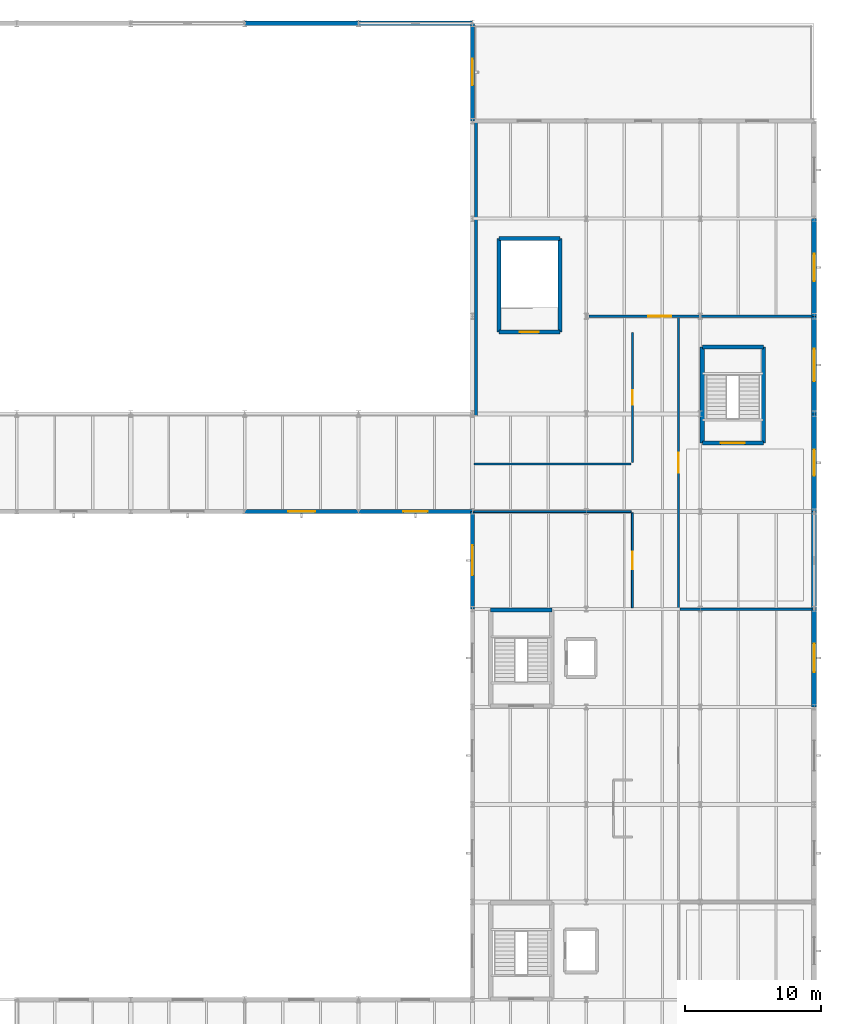
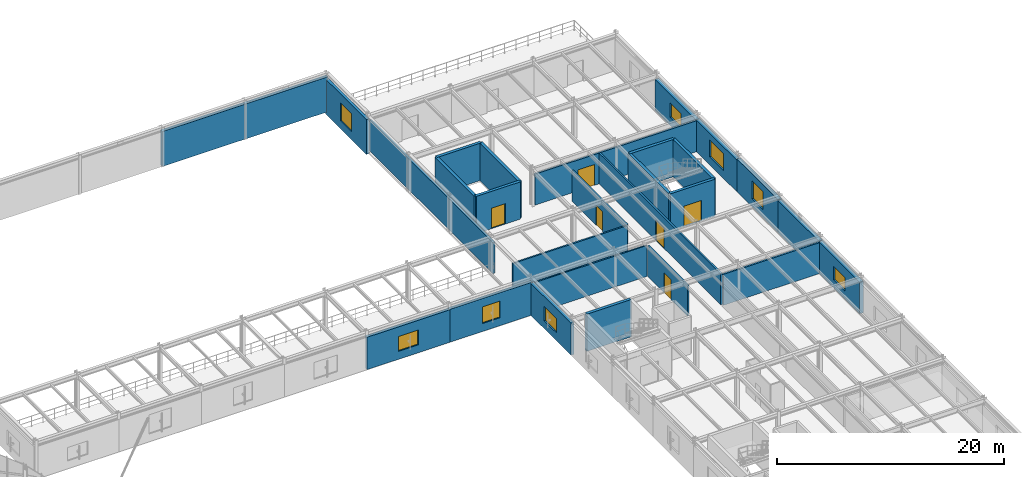
# One storey, part 69 of 109: 28 walls, 8 windows, 6 doors, 14 openings.
"""IFC4 building model written with IfcOpenShell, lengths in metres."""

import ifcopenshell
import ifcopenshell.guid

model = None  # the IFC model being written
_history = None  # IfcOwnerHistory: only IFC2X3 demands one
_inside = {}  # id of a spatial element -> (the spatial element, [elements in it])
_under = {}  # id of a project, library or spatial element -> (it, [spatial elements below it])
_declared = {}  # id of a project -> (the project, [libraries it declares])
_typed = {}  # id of a type object -> (the type object, [elements of that type])
_made_of = {}  # id of a material, layer set ... -> (it, [elements and type objects made of it])


def new_model(schema):
    """Start an empty IFC model of exactly this schema.

    Asked for "IFC4X3", IfcOpenShell would pick the latest addendum, in which some entities
    have other attributes; the version numbers below select the first issue.
    IFC2X3 requires an IfcOwnerHistory on every rooted entity: one is made here for all.
    """
    global model, _history
    if schema == "IFC4X3":
        model = ifcopenshell.file(schema_version=(4, 3, 0, 0))
    else:
        model = ifcopenshell.file(schema=schema)
    _inside.clear()
    _under.clear()
    _declared.clear()
    _typed.clear()
    _made_of.clear()
    _history = None
    if model.schema == "IFC2X3":
        org = make("IfcOrganization", Name="unknown")
        user = make(
            "IfcPersonAndOrganization",
            ThePerson=make("IfcPerson", FamilyName="unknown"),
            TheOrganization=org,
        )
        app = make(
            "IfcApplication",
            ApplicationDeveloper=org,
            Version="unknown",
            ApplicationFullName="unknown",
            ApplicationIdentifier="unknown",
        )
        _history = make(
            "IfcOwnerHistory",
            OwningUser=user,
            OwningApplication=app,
            ChangeAction="ADDED",
            CreationDate=0,
        )
    return model


def make(cls, **values):
    """One entity of the class cls with the attributes given. An attribute that is None is left unset."""
    return model.create_entity(
        cls, **{name: value for name, value in values.items() if value is not None}
    )


def rooted(cls, **values):
    """An entity with a GlobalId (a new one), such as an element, a storey or a relation."""
    return make(cls, GlobalId=ifcopenshell.guid.new(), OwnerHistory=_history, **values)


def si_unit(unit_type, name, prefix=None):
    """IfcSIUnit, for example si_unit("LENGTHUNIT", "METRE", prefix="MILLI")."""
    return make("IfcSIUnit", UnitType=unit_type, Prefix=prefix, Name=name)


def derived_unit(unit_type, elements):
    """IfcDerivedUnit: a product of units, each with its exponent."""
    return make(
        "IfcDerivedUnit",
        Elements=[
            make("IfcDerivedUnitElement", Unit=unit, Exponent=power)
            for unit, power in elements
        ],
        UnitType=unit_type,
    )


def assignment(units):
    """IfcUnitAssignment: the units of a project."""
    return None if units is None else make("IfcUnitAssignment", Units=units)


def point(xyz):
    """IfcCartesianPoint."""
    return None if xyz is None else make("IfcCartesianPoint", Coordinates=xyz)


def direction(xyz):
    """IfcDirection."""
    return None if xyz is None else make("IfcDirection", DirectionRatios=xyz)


def frame(location, z_axis=None, x_axis=None):
    """IfcAxis2Placement3D, a coordinate frame: its origin and axes. An axis left out is left unset."""
    return make(
        "IfcAxis2Placement3D",
        Location=point(location),
        Axis=direction(z_axis),
        RefDirection=direction(x_axis),
    )


def frame_2d(location, x_axis=None):
    """IfcAxis2Placement2D, a coordinate frame in the plane: its origin and x axis."""
    return make(
        "IfcAxis2Placement2D", Location=point(location), RefDirection=direction(x_axis)
    )


def origin():
    """The frame at (0, 0, 0) with its axes left unset."""
    return frame((0.0, 0.0, 0.0))


def place(relative_to, where):
    """IfcLocalPlacement: puts the frame where relative to a parent placement (None: the world)."""
    return make(
        "IfcLocalPlacement", PlacementRelTo=relative_to, RelativePlacement=where
    )


def context(
    kind, dimensions, precision=None, world=None, true_north=None, identifier=None
):
    """IfcGeometricRepresentationContext, for example the 3D "Model" context."""
    return make(
        "IfcGeometricRepresentationContext",
        ContextIdentifier=identifier,
        ContextType=kind,
        CoordinateSpaceDimension=dimensions,
        Precision=precision,
        WorldCoordinateSystem=world,
        TrueNorth=true_north,
    )


def subcontext(parent, identifier, kind, view, scale=None):
    """IfcGeometricRepresentationSubContext, for example "Body" below "Model"."""
    return make(
        "IfcGeometricRepresentationSubContext",
        ContextIdentifier=identifier,
        ContextType=kind,
        ParentContext=parent,
        TargetScale=scale,
        TargetView=view,
    )


def project(units=None, contexts=None):
    """IfcProject with its units and contexts."""
    return rooted(
        "IfcProject",
        Name="project",
        RepresentationContexts=contexts,
        UnitsInContext=assignment(units),
    )


def spatial(cls, under=None, at=None, **own):
    """A site, building, storey or space (cls), placed at a placement, below another one or the project."""
    s = rooted(cls, ObjectPlacement=at, **own)
    if under is not None:
        _under.setdefault(under.id(), (under, []))[1].append(s)
    return s


def profile(cls, at=None, kind="AREA", **sizes):
    """A parametric profile (cls). Its sizes go by their IFC names, for example OverallWidth=200.0."""
    return make(cls, ProfileType=kind, Position=at, **sizes)


def rectangle(**sizes):
    """IfcRectangleProfileDef."""
    return profile("IfcRectangleProfileDef", **sizes)


def extrude(swept, where, along, depth):
    """IfcExtrudedAreaSolid: the profile swept, set in the frame where, extruded along a direction by depth."""
    return make(
        "IfcExtrudedAreaSolid",
        SweptArea=swept,
        Position=where,
        ExtrudedDirection=direction(along),
        Depth=depth,
    )


def shape(context_of_items, identifier, shape_type, items):
    """IfcShapeRepresentation: the items that make up one representation, for example the "Body"."""
    return make(
        "IfcShapeRepresentation",
        ContextOfItems=context_of_items,
        RepresentationIdentifier=identifier,
        RepresentationType=shape_type,
        Items=items,
    )


def material(Name=None, Category=None):
    """IfcMaterial."""
    return make("IfcMaterial", Name=Name, Category=Category)


def layer(
    of_material, thickness, ventilated=None, Name=None, Category=None, Priority=None
):
    """IfcMaterialLayer: one layer of a wall or slab, of a material (None: an air gap)."""
    return make(
        "IfcMaterialLayer",
        Material=of_material,
        LayerThickness=thickness,
        IsVentilated=ventilated,
        Name=Name,
        Category=Category,
        Priority=Priority,
    )


def layer_set(layers, Name=None):
    """IfcMaterialLayerSet."""
    return make("IfcMaterialLayerSet", MaterialLayers=layers, LayerSetName=Name)


def made_of(thing, what):
    """Note that an element or type object is made of a material, layer set ...; save() writes the relation."""
    if what is not None:
        _made_of.setdefault(what.id(), (what, []))[1].append(thing)
    return thing


def type_object(cls, material=None, **own):
    """A type object (cls), such as IfcWallType, which elements share."""
    return made_of(rooted(cls, **own), material)


def element(
    cls,
    number,
    at=None,
    inside=None,
    cuts=None,
    type_object=None,
    material=None,
    context=None,
    identifier="Body",
    shape_type=None,
    held_by="IfcProductDefinitionShape",
    body=None,
    shapes=None,
    **own,
):
    """One element of the class cls, such as IfcWall. Its Tag is "e" and its number.

    at: its placement. inside: the storey or other place that contains it. cuts: it is an
    opening in that element (IfcRelVoidsElement). A single representation is given by context,
    identifier, shape_type and body (its items); several are given by shapes. held_by: the class
    of the entity that holds the representations. save() writes the other relations.
    """
    e = rooted(cls, Tag="e%d" % number, ObjectPlacement=at, **own)
    if body is not None:
        shapes = [shape(context, identifier, shape_type, body)]
    if shapes is not None:
        e.Representation = make(held_by, Representations=shapes)
    if inside is not None:
        _inside.setdefault(inside.id(), (inside, []))[1].append(e)
    if cuts is not None:
        rooted(
            "IfcRelVoidsElement", RelatingBuildingElement=cuts, RelatedOpeningElement=e
        )
    if type_object is not None:
        _typed.setdefault(type_object.id(), (type_object, []))[1].append(e)
    return made_of(e, material)


def fill(opening, filler):
    """IfcRelFillsElement: the door or window that sits in an opening."""
    return rooted(
        "IfcRelFillsElement",
        RelatingOpeningElement=opening,
        RelatedBuildingElement=filler,
    )


def aggregate(whole, parts):
    """IfcRelAggregates: a whole, such as a stair, and the parts it consists of."""
    return rooted("IfcRelAggregates", RelatingObject=whole, RelatedObjects=parts)


def save(model, path):
    """Write the relations noted so far, then the file.

    IfcRelAggregates (storeys below a building ...), IfcRelContainedInSpatialStructure (elements
    in a storey), IfcRelDefinesByType, IfcRelAssociatesMaterial and IfcRelDeclares: one each for
    every whole, place, type object, material and project.
    """
    for whole, parts in _under.values():
        aggregate(whole, parts)
    for where, things in _inside.values():
        rooted(
            "IfcRelContainedInSpatialStructure",
            RelatedElements=things,
            RelatingStructure=where,
        )
    for kind, things in _typed.values():
        rooted("IfcRelDefinesByType", RelatedObjects=things, RelatingType=kind)
    for what, things in _made_of.values():
        rooted("IfcRelAssociatesMaterial", RelatedObjects=things, RelatingMaterial=what)
    for by, libraries in _declared.values():
        rooted("IfcRelDeclares", RelatingContext=by, RelatedDefinitions=libraries)
    model.write(path)


model = new_model("IFC4")

# Units and contexts
model_context = context("Model", 3, precision=1e-05, world=origin(), true_north=direction((0.0, 1.0)))
body_context = subcontext(model_context, "Body", "Model", "MODEL_VIEW")
ifc_project = project(units=[si_unit("LENGTHUNIT", "METRE"), si_unit("AREAUNIT", "SQUARE_METRE"), si_unit("VOLUMEUNIT", "CUBIC_METRE"), si_unit("PLANEANGLEUNIT", "RADIAN"), si_unit("MASSUNIT", "GRAM", prefix="KILO"), derived_unit("THERMALTRANSMITTANCEUNIT", [(si_unit("MASSUNIT", "GRAM", prefix="KILO"), 1), (si_unit("TIMEUNIT", "SECOND"), -3), (si_unit("THERMODYNAMICTEMPERATUREUNIT", "KELVIN"), -1)])], contexts=[model_context])

# Site, building, storey
site_placement = place(None, origin())
site = spatial("IfcSite", under=ifc_project, at=site_placement, CompositionType="ELEMENT")
building_placement = place(site_placement, origin())
building = spatial("IfcBuilding", under=site, at=building_placement, Name="Kharveza Railside Sports Centre", CompositionType="ELEMENT")
storey_placement = place(building_placement, frame((0.0, 0.0, 4.5)))
storey = spatial("IfcBuildingStorey", under=building, at=storey_placement, Name="L01", CompositionType="ELEMENT", Elevation=4.5)

# Walls
ifc_material_1 = material(Name="Acoustic mineral-wool metal cladding panel")
ifc_layer_1 = layer(ifc_material_1, 0.340087890625, Name="Acoustic mineral-wool metal cladding panel")
ifc_layer_set_1 = layer_set([ifc_layer_1], Name="Acoustic mineral-wool metal cladding panel")
wall_type_1 = type_object("IfcWallType", Name="WL-AC340", PredefinedType="STANDARD", material=ifc_layer_set_1)
wall_1_placement = place(storey_placement, frame((142.800048828125, 108.0, 0.0), z_axis=(0.0, 0.0, 1.0), x_axis=(-1.0, 0.0, 0.0)))
element("IfcWall", 1, at=wall_1_placement, inside=storey, type_object=wall_type_1, Name="WL-EXT-L01-112", PredefinedType="STANDARD", context=body_context, shape_type="SweptSolid", body=[
    extrude(rectangle(XDim=8.400146484375, YDim=0.340087890625, at=frame_2d((4.2001953125, 0.0))), origin(), (0.0, 0.0, 1.0), 3.7451171875),
])
wall_2_placement = place(storey_placement, frame((134.39990234375, 108.0, 0.0), z_axis=(0.0, 0.0, 1.0), x_axis=(-1.0, 0.0, 0.0)))
element("IfcWall", 2, at=wall_2_placement, inside=storey, type_object=wall_type_1, Name="WL-EXT-L01-113", PredefinedType="STANDARD", context=body_context, shape_type="SweptSolid", body=[
    extrude(rectangle(XDim=8.39990234375, YDim=0.340087890625, at=frame_2d((4.199951171875, 0.0))), origin(), (0.0, 0.0, 1.0), 3.7451171875),
])

# Wall, opening, window
ifc_material_2 = material(Name="Precast concrete C40/50", Category="concrete")
ifc_layer_2 = layer(ifc_material_2, 0.3798828125, Name="Precast concrete C40/50")
ifc_layer_set_2 = layer_set([ifc_layer_2], Name="Precast concrete C40/50")
wall_type_2 = type_object("IfcWallType", Name="WL-BM380", PredefinedType="SOLIDWALL", material=ifc_layer_set_2)
wall_3_placement = place(storey_placement, frame((168.0, 57.60009765625, 0.0), z_axis=(0.0, 0.0, 1.0), x_axis=(0.0, 1.0, 0.0)))
wall_3 = element("IfcWall", 3, at=wall_3_placement, inside=storey, type_object=wall_type_2, Name="WL-EXT-L01-102", PredefinedType="SOLIDWALL", context=body_context, shape_type="SweptSolid", body=[
    extrude(rectangle(XDim=7.199951171875, YDim=0.3798828125, at=frame_2d((3.60009765625, 0.0))), origin(), (0.0, 0.0, 1.0), 3.385009765625),
])
opening_1_placement = place(wall_3_placement, frame((2.550048828125, 0.0, 0.85009765625)))
opening_1 = element("IfcOpeningElement", 4, at=opening_1_placement, cuts=wall_3, Name="Opening WN23", PredefinedType="OPENING", context=body_context, shape_type="SweptSolid", body=[
    extrude(rectangle(XDim=2.10009765625, YDim=1.449951171875, at=frame_2d((1.050048828125, 0.72509765625))), frame((0.0, 0.21484375, 0.0), z_axis=(0.0, -1.0, 0.0), x_axis=(1.0, 0.0, 0.0)), (0.0, 0.0, 1.0), 0.4296875),
])
ifc_material_3 = material(Name="Low-E solar-control laminated glass", Category="glass")
window_type_1 = type_object("IfcWindowType", Name="WN-Z07", PartitioningType="SINGLE_PANEL", PredefinedType="WINDOW", material=ifc_material_3)
window_1_placement = place(opening_1_placement, origin())
window_1 = element("IfcWindow", 5, at=window_1_placement, inside=storey, type_object=window_type_1, Name="WN-EXT-L01-044", OverallHeight=1.449951171875, OverallWidth=2.10009765625, PartitioningType="SINGLE_PANEL", PredefinedType="WINDOW", context=body_context, shape_type="SweptSolid", body=[
    extrude(rectangle(XDim=2.10009765625, YDim=1.449951171875, at=frame_2d((1.050048828125, 0.72509765625))), frame((0.0, 0.030029296875, 0.0), z_axis=(0.0, -1.0, 0.0), x_axis=(1.0, 0.0, 0.0)), (0.0, 0.0, 1.0), 0.06005859375),
])
fill(opening_1, window_1)

# Wall
wall_4_placement = place(storey_placement, frame((168.0, 64.800048828125, 0.0), z_axis=(0.0, 0.0, 1.0), x_axis=(0.0, 1.0, 0.0)))
element("IfcWall", 6, at=wall_4_placement, inside=storey, type_object=wall_type_2, Name="WL-EXT-L01-103", PredefinedType="SOLIDWALL", context=body_context, shape_type="SweptSolid", body=[
    extrude(rectangle(XDim=7.199951171875, YDim=0.3798828125, at=frame_2d((3.60009765625, 0.0))), origin(), (0.0, 0.0, 1.0), 3.43505859375),
])

# Wall, opening, window
wall_5_placement = place(storey_placement, frame((168.0, 72.0, 0.0), z_axis=(0.0, 0.0, 1.0), x_axis=(0.0, 1.0, 0.0)))
wall_5 = element("IfcWall", 7, at=wall_5_placement, inside=storey, type_object=wall_type_2, Name="WL-EXT-L01-104", PredefinedType="SOLIDWALL", context=body_context, shape_type="SweptSolid", body=[
    extrude(rectangle(XDim=7.199951171875, YDim=0.3798828125, at=frame_2d((3.60009765625, 0.0))), origin(), (0.0, 0.0, 1.0), 3.534912109375),
])
opening_2_placement = place(wall_5_placement, frame((2.625, 0.0, 0.85009765625)))
opening_2 = element("IfcOpeningElement", 8, at=opening_2_placement, cuts=wall_5, Name="Opening WN30", PredefinedType="OPENING", context=body_context, shape_type="SweptSolid", body=[
    extrude(rectangle(XDim=1.949951171875, YDim=1.949951171875, at=frame_2d((0.97509765625, 0.97509765625))), frame((0.0, 0.21484375, 0.0), z_axis=(0.0, -1.0, 0.0), x_axis=(1.0, 0.0, 0.0)), (0.0, 0.0, 1.0), 0.4296875),
])
window_type_2 = type_object("IfcWindowType", Name="WN-Z14", PartitioningType="SINGLE_PANEL", PredefinedType="WINDOW", material=ifc_material_3)
window_2_placement = place(opening_2_placement, origin())
window_2 = element("IfcWindow", 9, at=window_2_placement, inside=storey, type_object=window_type_2, Name="WN-EXT-L01-045", OverallHeight=1.949951171875, OverallWidth=1.949951171875, PartitioningType="SINGLE_PANEL", PredefinedType="WINDOW", context=body_context, shape_type="SweptSolid", body=[
    extrude(rectangle(XDim=1.949951171875, YDim=1.949951171875, at=frame_2d((0.97509765625, 0.97509765625))), frame((0.0, 0.030029296875, 0.0), z_axis=(0.0, -1.0, 0.0), x_axis=(1.0, 0.0, 0.0)), (0.0, 0.0, 1.0), 0.06005859375),
])
fill(opening_2, window_2)

wall_6_placement = place(storey_placement, frame((168.0, 79.199951171875, 0.0), z_axis=(0.0, 0.0, 1.0), x_axis=(0.0, 1.0, 0.0)))
wall_6 = element("IfcWall", 10, at=wall_6_placement, inside=storey, type_object=wall_type_2, Name="WL-EXT-L01-105", PredefinedType="SOLIDWALL", context=body_context, shape_type="SweptSolid", body=[
    extrude(rectangle(XDim=7.199951171875, YDim=0.3798828125, at=frame_2d((3.60009765625, 0.0))), origin(), (0.0, 0.0, 1.0), 3.385009765625),
])
opening_3_placement = place(wall_6_placement, frame((2.39990234375, 0.0, 0.85009765625)))
opening_3 = element("IfcOpeningElement", 11, at=opening_3_placement, cuts=wall_6, Name="Opening WN04", PredefinedType="OPENING", context=body_context, shape_type="SweptSolid", body=[
    extrude(rectangle(XDim=2.39990234375, YDim=1.800048828125, at=frame_2d((1.199951171875, 0.89990234375))), frame((0.0, 0.21484375, 0.0), z_axis=(0.0, -1.0, 0.0), x_axis=(1.0, 0.0, 0.0)), (0.0, 0.0, 1.0), 0.4296875),
])
window_type_3 = type_object("IfcWindowType", Name="WN-F04", PartitioningType="SINGLE_PANEL", PredefinedType="WINDOW", material=ifc_material_3)
window_3_placement = place(opening_3_placement, origin())
window_3 = element("IfcWindow", 12, at=window_3_placement, inside=storey, type_object=window_type_3, Name="WN-EXT-L01-046", OverallHeight=1.800048828125, OverallWidth=2.39990234375, PartitioningType="SINGLE_PANEL", PredefinedType="WINDOW", context=body_context, shape_type="SweptSolid", body=[
    extrude(rectangle(XDim=2.39990234375, YDim=1.800048828125, at=frame_2d((1.199951171875, 0.89990234375))), frame((0.0, 0.030029296875, 0.0), z_axis=(0.0, -1.0, 0.0), x_axis=(1.0, 0.0, 0.0)), (0.0, 0.0, 1.0), 0.06005859375),
])
fill(opening_3, window_3)

wall_7_placement = place(storey_placement, frame((168.0, 86.39990234375, 0.0), z_axis=(0.0, 0.0, 1.0), x_axis=(0.0, 1.0, 0.0)))
wall_7 = element("IfcWall", 13, at=wall_7_placement, inside=storey, type_object=wall_type_2, Name="WL-EXT-L01-106", PredefinedType="SOLIDWALL", context=body_context, shape_type="SweptSolid", body=[
    extrude(rectangle(XDim=7.2001953125, YDim=0.3798828125, at=frame_2d((3.60009765625, 0.0))), origin(), (0.0, 0.0, 1.0), 3.35498046875),
])
opening_4_placement = place(wall_7_placement, frame((2.60009765625, 0.0, 0.85009765625)))
opening_4 = element("IfcOpeningElement", 14, at=opening_4_placement, cuts=wall_7, Name="Opening WN15", PredefinedType="OPENING", context=body_context, shape_type="SweptSolid", body=[
    extrude(rectangle(XDim=2.0, YDim=1.60009765625, at=frame_2d((1.0, 0.800048828125))), frame((0.0, 0.21484375, 0.0), z_axis=(0.0, -1.0, 0.0), x_axis=(1.0, 0.0, 0.0)), (0.0, 0.0, 1.0), 0.4296875),
])
window_type_4 = type_object("IfcWindowType", Name="WN-F15", PartitioningType="SINGLE_PANEL", PredefinedType="WINDOW", material=ifc_material_3)
window_4_placement = place(opening_4_placement, origin())
window_4 = element("IfcWindow", 15, at=window_4_placement, inside=storey, type_object=window_type_4, Name="WN-EXT-L01-047", OverallHeight=1.60009765625, OverallWidth=2.0, PartitioningType="SINGLE_PANEL", PredefinedType="WINDOW", context=body_context, shape_type="SweptSolid", body=[
    extrude(rectangle(XDim=2.0, YDim=1.60009765625, at=frame_2d((1.0, 0.800048828125))), frame((0.0, 0.030029296875, 0.0), z_axis=(0.0, -1.0, 0.0), x_axis=(1.0, 0.0, 0.0)), (0.0, 0.0, 1.0), 0.06005859375),
])
fill(opening_4, window_4)

# Wall
ifc_material_4 = material(Name="Concrete C35/45", Category="concrete")
ifc_layer_3 = layer(ifc_material_4, 0.300048828125, Name="Concrete C35/45")
ifc_layer_set_3 = layer_set([ifc_layer_3], Name="Concrete C35/45")
wall_type_3 = type_object("IfcWallType", Name="WL-CR300", PredefinedType="SHEAR", material=ifc_layer_set_3)
wall_8_placement = place(storey_placement, frame((148.64990234375, 64.75, 0.0), z_axis=(0.0, 0.0, 1.0), x_axis=(-1.0, 0.0, 0.0)))
element("IfcWall", 16, at=wall_8_placement, inside=storey, type_object=wall_type_3, Name="WL-CORE-ST2-L01-N", PredefinedType="SHEAR", context=body_context, shape_type="SweptSolid", body=[
    extrude(rectangle(XDim=4.5, YDim=0.300048828125, at=frame_2d((2.25, 0.0))), origin(), (0.0, 0.0, 1.0), 4.0),
])

# Wall, opening, door
wall_9_placement = place(storey_placement, frame((159.75, 77.050048828125, 0.0), z_axis=(0.0, 0.0, 1.0), x_axis=(1.0, 0.0, 0.0)))
wall_9 = element("IfcWall", 17, at=wall_9_placement, inside=storey, type_object=wall_type_3, Name="WL-CORE-ST4-L01-S", PredefinedType="SHEAR", context=body_context, shape_type="SweptSolid", body=[
    extrude(rectangle(XDim=4.5, YDim=0.300048828125, at=frame_2d((2.25, 0.0))), origin(), (0.0, 0.0, 1.0), 4.0),
])
opening_5_placement = place(wall_9_placement, frame((1.35009765625, 0.0, 0.0)))
opening_5 = element("IfcOpeningElement", 18, at=opening_5_placement, cuts=wall_9, Name="Opening D08", PredefinedType="OPENING", context=body_context, shape_type="SweptSolid", body=[
    extrude(rectangle(XDim=1.800048828125, YDim=2.199951171875, at=frame_2d((0.89990234375, 1.10009765625))), frame((0.0, 0.1748046875, 0.0), z_axis=(0.0, -1.0, 0.0), x_axis=(1.0, 0.0, 0.0)), (0.0, 0.0, 1.0), 0.349853515625),
])
ifc_material_5 = material(Name="Fire-rated hardwood door leaf", Category="wood")
door_type_1 = type_object("IfcDoorType", Name="DR-ST01", OperationType="NOTDEFINED", PredefinedType="DOOR", material=ifc_material_5)
door_1_placement = place(opening_5_placement, frame((1.800048828125, 0.0, 0.0), z_axis=(0.0, 0.0, 1.0), x_axis=(-1.0, 0.0, 0.0)))
door_1 = element("IfcDoor", 19, at=door_1_placement, inside=storey, type_object=door_type_1, Name="DR-ST-ST4-L01", OperationType="DOUBLE_DOOR_SINGLE_SWING", OverallHeight=2.199951171875, OverallWidth=1.800048828125, PredefinedType="DOOR", context=body_context, shape_type="SweptSolid", body=[
    extrude(rectangle(XDim=1.800048828125, YDim=2.199951171875, at=frame_2d((0.89990234375, 1.10009765625))), frame((0.0, 0.02490234375, 0.0), z_axis=(0.0, -1.0, 0.0), x_axis=(1.0, 0.0, 0.0)), (0.0, 0.0, 1.0), 0.050048828125),
])
fill(opening_5, door_1)

# Walls
wall_10_placement = place(storey_placement, frame((164.25, 77.050048828125, 0.0), z_axis=(0.0, 0.0, 1.0), x_axis=(0.0, 1.0, 0.0)))
element("IfcWall", 20, at=wall_10_placement, inside=storey, type_object=wall_type_3, Name="WL-CORE-ST4-L01-E", PredefinedType="SHEAR", context=body_context, shape_type="SweptSolid", body=[
    extrude(rectangle(XDim=7.099853515625, YDim=0.300048828125, at=frame_2d((3.5498046875, 0.0))), origin(), (0.0, 0.0, 1.0), 4.0),
])
wall_11_placement = place(storey_placement, frame((164.25, 84.14990234375, 0.0), z_axis=(0.0, 0.0, 1.0), x_axis=(-1.0, 0.0, 0.0)))
element("IfcWall", 21, at=wall_11_placement, inside=storey, type_object=wall_type_3, Name="WL-CORE-ST4-L01-N", PredefinedType="SHEAR", context=body_context, shape_type="SweptSolid", body=[
    extrude(rectangle(XDim=4.5, YDim=0.300048828125, at=frame_2d((2.25, 0.0))), origin(), (0.0, 0.0, 1.0), 4.0),
])
wall_12_placement = place(storey_placement, frame((159.75, 84.14990234375, 0.0), z_axis=(0.0, 0.0, 1.0), x_axis=(0.0, -1.0, 0.0)))
element("IfcWall", 22, at=wall_12_placement, inside=storey, type_object=wall_type_3, Name="WL-CORE-ST4-L01-W", PredefinedType="SHEAR", context=body_context, shape_type="SweptSolid", body=[
    extrude(rectangle(XDim=7.099853515625, YDim=0.300048828125, at=frame_2d((3.5498046875, 0.0))), origin(), (0.0, 0.0, 1.0), 4.0),
])

# Wall, opening, door
wall_13_placement = place(storey_placement, frame((144.75, 85.25, 0.0), z_axis=(0.0, 0.0, 1.0), x_axis=(1.0, 0.0, 0.0)))
wall_13 = element("IfcWall", 23, at=wall_13_placement, inside=storey, type_object=wall_type_3, Name="WL-CORE-ST13-L01-S", PredefinedType="SHEAR", context=body_context, shape_type="SweptSolid", body=[
    extrude(rectangle(XDim=4.5, YDim=0.300048828125, at=frame_2d((2.25, 0.0))), origin(), (0.0, 0.0, 1.0), 4.0),
])
opening_6_placement = place(wall_13_placement, frame((1.550048828125, 0.0, 0.0)))
opening_6 = element("IfcOpeningElement", 24, at=opening_6_placement, cuts=wall_13, Name="Opening D09", PredefinedType="OPENING", context=body_context, shape_type="SweptSolid", body=[
    extrude(rectangle(XDim=1.39990234375, YDim=2.199951171875, at=frame_2d((0.699951171875, 1.10009765625))), frame((0.0, 0.1748046875, 0.0), z_axis=(0.0, -1.0, 0.0), x_axis=(1.0, 0.0, 0.0)), (0.0, 0.0, 1.0), 0.349853515625),
])
door_type_2 = type_object("IfcDoorType", Name="DR-ST02", OperationType="NOTDEFINED", PredefinedType="DOOR", material=ifc_material_5)
door_2_placement = place(opening_6_placement, frame((1.39990234375, 0.0, 0.0), z_axis=(0.0, 0.0, 1.0), x_axis=(-1.0, 0.0, 0.0)))
door_2 = element("IfcDoor", 25, at=door_2_placement, inside=storey, type_object=door_type_2, Name="DR-ST-ST13-L01", OperationType="SINGLE_SWING_RIGHT", OverallHeight=2.199951171875, OverallWidth=1.39990234375, PredefinedType="DOOR", context=body_context, shape_type="SweptSolid", body=[
    extrude(rectangle(XDim=1.39990234375, YDim=2.199951171875, at=frame_2d((0.699951171875, 1.10009765625))), frame((0.0, 0.02490234375, 0.0), z_axis=(0.0, -1.0, 0.0), x_axis=(1.0, 0.0, 0.0)), (0.0, 0.0, 1.0), 0.050048828125),
])
fill(opening_6, door_2)

# Walls
wall_14_placement = place(storey_placement, frame((149.25, 85.25, 0.0), z_axis=(0.0, 0.0, 1.0), x_axis=(0.0, 1.0, 0.0)))
element("IfcWall", 26, at=wall_14_placement, inside=storey, type_object=wall_type_3, Name="WL-CORE-ST13-L01-E", PredefinedType="SHEAR", context=body_context, shape_type="SweptSolid", body=[
    extrude(rectangle(XDim=6.89990234375, YDim=0.300048828125, at=frame_2d((3.449951171875, 0.0))), origin(), (0.0, 0.0, 1.0), 4.0),
])
wall_15_placement = place(storey_placement, frame((149.25, 92.14990234375, 0.0), z_axis=(0.0, 0.0, 1.0), x_axis=(-1.0, 0.0, 0.0)))
element("IfcWall", 27, at=wall_15_placement, inside=storey, type_object=wall_type_3, Name="WL-CORE-ST13-L01-N", PredefinedType="SHEAR", context=body_context, shape_type="SweptSolid", body=[
    extrude(rectangle(XDim=4.5, YDim=0.300048828125, at=frame_2d((2.25, 0.0))), origin(), (0.0, 0.0, 1.0), 4.0),
])
wall_16_placement = place(storey_placement, frame((144.75, 92.14990234375, 0.0), z_axis=(0.0, 0.0, 1.0), x_axis=(0.0, -1.0, 0.0)))
element("IfcWall", 28, at=wall_16_placement, inside=storey, type_object=wall_type_3, Name="WL-CORE-ST13-L01-W", PredefinedType="SHEAR", context=body_context, shape_type="SweptSolid", body=[
    extrude(rectangle(XDim=6.89990234375, YDim=0.300048828125, at=frame_2d((3.449951171875, 0.0))), origin(), (0.0, 0.0, 1.0), 4.0),
])

# Wall, opening, window
ifc_layer_4 = layer(ifc_material_1, 0.2900390625, Name="Acoustic mineral-wool metal cladding panel")
ifc_layer_set_4 = layer_set([ifc_layer_4], Name="Acoustic mineral-wool metal cladding panel")
wall_type_4 = type_object("IfcWallType", Name="WL-EX290", PredefinedType="STANDARD", material=ifc_layer_set_4)
wall_17_placement = place(storey_placement, frame((142.800048828125, 100.800048828125, -0.280029296875), z_axis=(0.0, 0.0, 1.0), x_axis=(0.0, 1.0, 0.0)))
wall_17 = element("IfcWall", 29, at=wall_17_placement, inside=storey, type_object=wall_type_4, Name="WL-EXT-L01-111", PredefinedType="STANDARD", context=body_context, shape_type="SweptSolid", body=[
    extrude(rectangle(XDim=7.199951171875, YDim=0.2900390625, at=frame_2d((3.60009765625, 0.0))), origin(), (0.0, 0.0, 1.0), 3.735107421875),
])
opening_7_placement = place(wall_17_placement, frame((2.625, 0.0, 0.85009765625)))
opening_7 = element("IfcOpeningElement", 30, at=opening_7_placement, cuts=wall_17, Name="Opening WN30", PredefinedType="OPENING", context=body_context, shape_type="SweptSolid", body=[
    extrude(rectangle(XDim=1.949951171875, YDim=1.949951171875, at=frame_2d((0.97509765625, 0.97509765625))), frame((0.0, 0.169921875, 0.0), z_axis=(0.0, -1.0, 0.0), x_axis=(1.0, 0.0, 0.0)), (0.0, 0.0, 1.0), 0.33984375),
])
window_5_placement = place(opening_7_placement, origin())
window_5 = element("IfcWindow", 31, at=window_5_placement, inside=storey, type_object=window_type_2, Name="WN-EXT-L01-049", OverallHeight=1.949951171875, OverallWidth=1.949951171875, PartitioningType="SINGLE_PANEL", PredefinedType="WINDOW", context=body_context, shape_type="SweptSolid", body=[
    extrude(rectangle(XDim=1.949951171875, YDim=1.949951171875, at=frame_2d((0.97509765625, 0.97509765625))), frame((0.0, 0.030029296875, 0.0), z_axis=(0.0, -1.0, 0.0), x_axis=(1.0, 0.0, 0.0)), (0.0, 0.0, 1.0), 0.06005859375),
])
fill(opening_7, window_5)

ifc_layer_5 = layer(ifc_material_2, 0.320068359375, Name="Precast concrete C40/50")
ifc_layer_set_5 = layer_set([ifc_layer_5], Name="Precast concrete C40/50")
wall_type_5 = type_object("IfcWallType", Name="WL-EX320", PredefinedType="STANDARD", material=ifc_layer_set_5)
wall_18_placement = place(storey_placement, frame((126.0, 72.0, 0.0), z_axis=(0.0, 0.0, 1.0), x_axis=(1.0, 0.0, 0.0)))
wall_18 = element("IfcWall", 32, at=wall_18_placement, inside=storey, type_object=wall_type_5, Name="WL-EXT-L01-127", PredefinedType="STANDARD", context=body_context, shape_type="SweptSolid", body=[
    extrude(rectangle(XDim=8.39990234375, YDim=0.320068359375, at=frame_2d((4.199951171875, 0.0))), origin(), (0.0, 0.0, 1.0), 3.485107421875),
])
opening_8_placement = place(wall_18_placement, frame((3.199951171875, 0.0, 0.85009765625)))
opening_8 = element("IfcOpeningElement", 33, at=opening_8_placement, cuts=wall_18, Name="Opening WN15", PredefinedType="OPENING", context=body_context, shape_type="SweptSolid", body=[
    extrude(rectangle(XDim=2.0, YDim=1.60009765625, at=frame_2d((1.0, 0.800048828125))), frame((0.0, 0.18505859375, 0.0), z_axis=(0.0, -1.0, 0.0), x_axis=(1.0, 0.0, 0.0)), (0.0, 0.0, 1.0), 0.369873046875),
])
window_6_placement = place(opening_8_placement, origin())
window_6 = element("IfcWindow", 34, at=window_6_placement, inside=storey, type_object=window_type_4, Name="WN-EXT-L01-059", OverallHeight=1.60009765625, OverallWidth=2.0, PartitioningType="SINGLE_PANEL", PredefinedType="WINDOW", context=body_context, shape_type="SweptSolid", body=[
    extrude(rectangle(XDim=2.0, YDim=1.60009765625, at=frame_2d((1.0, 0.800048828125))), frame((0.0, 0.030029296875, 0.0), z_axis=(0.0, -1.0, 0.0), x_axis=(1.0, 0.0, 0.0)), (0.0, 0.0, 1.0), 0.06005859375),
])
fill(opening_8, window_6)

wall_19_placement = place(storey_placement, frame((134.39990234375, 72.0, 0.0), z_axis=(0.0, 0.0, 1.0), x_axis=(1.0, 0.0, 0.0)))
wall_19 = element("IfcWall", 35, at=wall_19_placement, inside=storey, type_object=wall_type_5, Name="WL-EXT-L01-128", PredefinedType="STANDARD", context=body_context, shape_type="SweptSolid", body=[
    extrude(rectangle(XDim=8.400146484375, YDim=0.320068359375, at=frame_2d((4.2001953125, 0.0))), origin(), (0.0, 0.0, 1.0), 3.534912109375),
])
opening_9_placement = place(wall_19_placement, frame((3.300048828125, 0.0, 0.85009765625)))
opening_9 = element("IfcOpeningElement", 36, at=opening_9_placement, cuts=wall_19, Name="Opening WN05", PredefinedType="OPENING", context=body_context, shape_type="SweptSolid", body=[
    extrude(rectangle(XDim=1.800048828125, YDim=1.800048828125, at=frame_2d((0.89990234375, 0.89990234375))), frame((0.0, 0.18505859375, 0.0), z_axis=(0.0, -1.0, 0.0), x_axis=(1.0, 0.0, 0.0)), (0.0, 0.0, 1.0), 0.369873046875),
])
window_type_5 = type_object("IfcWindowType", Name="WN-F05", PartitioningType="SINGLE_PANEL", PredefinedType="WINDOW", material=ifc_material_3)
window_7_placement = place(opening_9_placement, origin())
window_7 = element("IfcWindow", 37, at=window_7_placement, inside=storey, type_object=window_type_5, Name="WN-EXT-L01-060", OverallHeight=1.800048828125, OverallWidth=1.800048828125, PartitioningType="SINGLE_PANEL", PredefinedType="WINDOW", context=body_context, shape_type="SweptSolid", body=[
    extrude(rectangle(XDim=1.800048828125, YDim=1.800048828125, at=frame_2d((0.89990234375, 0.89990234375))), frame((0.0, 0.030029296875, 0.0), z_axis=(0.0, -1.0, 0.0), x_axis=(1.0, 0.0, 0.0)), (0.0, 0.0, 1.0), 0.06005859375),
])
fill(opening_9, window_7)

wall_20_placement = place(storey_placement, frame((142.800048828125, 72.0, 0.0), z_axis=(0.0, 0.0, 1.0), x_axis=(0.0, -1.0, 0.0)))
wall_20 = element("IfcWall", 38, at=wall_20_placement, inside=storey, type_object=wall_type_5, Name="WL-EXT-L01-129", PredefinedType="STANDARD", context=body_context, shape_type="SweptSolid", body=[
    extrude(rectangle(XDim=7.199951171875, YDim=0.320068359375, at=frame_2d((3.60009765625, 0.0))), origin(), (0.0, 0.0, 1.0), 3.43505859375),
])
opening_10_placement = place(wall_20_placement, frame((2.5, 0.0, 0.85009765625)))
opening_10 = element("IfcOpeningElement", 39, at=opening_10_placement, cuts=wall_20, Name="Opening WN22", PredefinedType="OPENING", context=body_context, shape_type="SweptSolid", body=[
    extrude(rectangle(XDim=2.199951171875, YDim=1.550048828125, at=frame_2d((1.10009765625, 0.77490234375))), frame((0.0, 0.18505859375, 0.0), z_axis=(0.0, -1.0, 0.0), x_axis=(1.0, 0.0, 0.0)), (0.0, 0.0, 1.0), 0.369873046875),
])
window_type_6 = type_object("IfcWindowType", Name="WN-Z06", PartitioningType="SINGLE_PANEL", PredefinedType="WINDOW", material=ifc_material_3)
window_8_placement = place(opening_10_placement, origin())
window_8 = element("IfcWindow", 40, at=window_8_placement, inside=storey, type_object=window_type_6, Name="WN-EXT-L01-061", OverallHeight=1.550048828125, OverallWidth=2.199951171875, PartitioningType="SINGLE_PANEL", PredefinedType="WINDOW", context=body_context, shape_type="SweptSolid", body=[
    extrude(rectangle(XDim=2.199951171875, YDim=1.550048828125, at=frame_2d((1.10009765625, 0.77490234375))), frame((0.0, 0.030029296875, 0.0), z_axis=(0.0, -1.0, 0.0), x_axis=(1.0, 0.0, 0.0)), (0.0, 0.0, 1.0), 0.06005859375),
])
fill(opening_10, window_8)

# Wall, opening, door
ifc_material_6 = material(Name="Gypsum board acoustic stud partition")
ifc_layer_6 = layer(ifc_material_6, 0.14501953125, Name="Gypsum board acoustic stud partition")
ifc_layer_set_6 = layer_set([ifc_layer_6], Name="Gypsum board acoustic stud partition")
wall_type_6 = type_object("IfcWallType", Name="WL-PT145", PredefinedType="PARTITIONING", material=ifc_layer_set_6)
wall_21_placement = place(storey_placement, frame((154.60009765625, 64.89990234375, 0.0), z_axis=(0.0, 0.0, 1.0), x_axis=(0.0, 1.0, 0.0)))
wall_21 = element("IfcWall", 41, at=wall_21_placement, inside=storey, type_object=wall_type_6, Name="WL-INT-L01-063", PredefinedType="PARTITIONING", context=body_context, shape_type="SweptSolid", body=[
    extrude(rectangle(XDim=7.0, YDim=0.14501953125, at=frame_2d((3.5, 0.0))), origin(), (0.0, 0.0, 1.0), 3.320068359375),
])
opening_11_placement = place(wall_21_placement, frame((2.85009765625, 0.0, 0.0)))
opening_11 = element("IfcOpeningElement", 42, at=opening_11_placement, cuts=wall_21, Name="Opening D27", PredefinedType="OPENING", context=body_context, shape_type="SweptSolid", body=[
    extrude(rectangle(XDim=1.300048828125, YDim=2.14990234375, at=frame_2d((0.64990234375, 1.074951171875))), frame((0.0, 0.097412109375, 0.0), z_axis=(0.0, -1.0, 0.0), x_axis=(1.0, 0.0, 0.0)), (0.0, 0.0, 1.0), 0.19482421875),
])
door_type_3 = type_object("IfcDoorType", Name="DR-Z03", OperationType="NOTDEFINED", PredefinedType="DOOR", material=ifc_material_5)
door_3_placement = place(opening_11_placement, frame((1.300048828125, 0.0, 0.0), z_axis=(0.0, 0.0, 1.0), x_axis=(-1.0, 0.0, 0.0)))
door_3 = element("IfcDoor", 43, at=door_3_placement, inside=storey, type_object=door_type_3, Name="DR-INT-L01-036", OperationType="SINGLE_SWING_LEFT", OverallHeight=2.14990234375, OverallWidth=1.300048828125, PredefinedType="DOOR", context=body_context, shape_type="SweptSolid", body=[
    extrude(rectangle(XDim=1.300048828125, YDim=2.14990234375, at=frame_2d((0.64990234375, 1.074951171875))), frame((0.0, 0.02490234375, 0.0), z_axis=(0.0, -1.0, 0.0), x_axis=(1.0, 0.0, 0.0)), (0.0, 0.0, 1.0), 0.050048828125),
])
fill(opening_11, door_3)

# Wall
wall_22_placement = place(storey_placement, frame((142.89990234375, 72.0, 0.0), z_axis=(0.0, 0.0, 1.0), x_axis=(1.0, 0.0, 0.0)))
element("IfcWall", 44, at=wall_22_placement, inside=storey, type_object=wall_type_6, Name="WL-INT-L01-065", PredefinedType="PARTITIONING", context=body_context, shape_type="SweptSolid", body=[
    extrude(rectangle(XDim=11.60009765625, YDim=0.14501953125, at=frame_2d((5.800048828125, 0.0))), origin(), (0.0, 0.0, 1.0), 3.320068359375),
])

# Wall, opening, door
ifc_layer_7 = layer(ifc_material_4, 0.159912109375, Name="Concrete C35/45")
ifc_layer_set_7 = layer_set([ifc_layer_7], Name="Concrete C35/45")
wall_type_7 = type_object("IfcWallType", Name="WL-PT160", PredefinedType="PARTITIONING", material=ifc_layer_set_7)
wall_23_placement = place(storey_placement, frame((154.60009765625, 75.60009765625, 0.0), z_axis=(0.0, 0.0, 1.0), x_axis=(0.0, 1.0, 0.0)))
wall_23 = element("IfcWall", 45, at=wall_23_placement, inside=storey, type_object=wall_type_7, Name="WL-INT-L01-064", PredefinedType="PARTITIONING", context=body_context, shape_type="SweptSolid", body=[
    extrude(rectangle(XDim=9.599853515625, YDim=0.159912109375, at=frame_2d((4.7998046875, 0.0))), origin(), (0.0, 0.0, 1.0), 3.320068359375),
])
opening_12_placement = place(wall_23_placement, frame((4.260009765625, 0.0, 0.0)))
opening_12 = element("IfcOpeningElement", 46, at=opening_12_placement, cuts=wall_23, Name="Opening D29", PredefinedType="OPENING", context=body_context, shape_type="SweptSolid", body=[
    extrude(rectangle(XDim=1.080078125, YDim=2.14990234375, at=frame_2d((0.5400390625, 1.074951171875))), frame((0.0, 0.10498046875, 0.0), z_axis=(0.0, -1.0, 0.0), x_axis=(1.0, 0.0, 0.0)), (0.0, 0.0, 1.0), 0.209716796875),
])
door_type_4 = type_object("IfcDoorType", Name="DR-Z05", OperationType="NOTDEFINED", PredefinedType="DOOR", material=ifc_material_5)
door_4_placement = place(opening_12_placement, origin())
door_4 = element("IfcDoor", 47, at=door_4_placement, inside=storey, type_object=door_type_4, Name="DR-INT-L01-037", OperationType="SINGLE_SWING_RIGHT", OverallHeight=2.14990234375, OverallWidth=1.080078125, PredefinedType="DOOR", context=body_context, shape_type="SweptSolid", body=[
    extrude(rectangle(XDim=1.080078125, YDim=2.14990234375, at=frame_2d((0.5400390625, 1.074951171875))), frame((0.0, 0.02490234375, 0.0), z_axis=(0.0, -1.0, 0.0), x_axis=(1.0, 0.0, 0.0)), (0.0, 0.0, 1.0), 0.050048828125),
])
fill(opening_12, door_4)

# Wall
wall_24_placement = place(storey_placement, frame((142.89990234375, 75.5, 0.0), z_axis=(0.0, 0.0, 1.0), x_axis=(1.0, 0.0, 0.0)))
element("IfcWall", 48, at=wall_24_placement, inside=storey, type_object=wall_type_7, Name="WL-INT-L01-066", PredefinedType="PARTITIONING", context=body_context, shape_type="SweptSolid", body=[
    extrude(rectangle(XDim=11.60009765625, YDim=0.159912109375, at=frame_2d((5.800048828125, 0.0))), origin(), (0.0, 0.0, 1.0), 3.320068359375),
])

# Wall, opening, door
ifc_layer_8 = layer(ifc_material_6, 0.175048828125, Name="Gypsum board acoustic stud partition")
ifc_layer_set_8 = layer_set([ifc_layer_8], Name="Gypsum board acoustic stud partition")
wall_type_8 = type_object("IfcWallType", Name="WL-PT175", PredefinedType="PARTITIONING", material=ifc_layer_set_8)
wall_25_placement = place(storey_placement, frame((158.0, 64.89990234375, 0.0), z_axis=(0.0, 0.0, 1.0), x_axis=(0.0, 1.0, 0.0)))
wall_25 = element("IfcWall", 49, at=wall_25_placement, inside=storey, type_object=wall_type_8, Name="WL-INT-L01-067", PredefinedType="PARTITIONING", context=body_context, shape_type="SweptSolid", body=[
    extrude(rectangle(XDim=21.400146484375, YDim=0.175048828125, at=frame_2d((10.7001953125, 0.0))), origin(), (0.0, 0.0, 1.0), 3.320068359375),
])
opening_13_placement = place(wall_25_placement, frame((9.949951171875, 0.0, 0.0)))
opening_13 = element("IfcOpeningElement", 50, at=opening_13_placement, cuts=wall_25, Name="Opening D15", PredefinedType="OPENING", context=body_context, shape_type="SweptSolid", body=[
    extrude(rectangle(XDim=1.5, YDim=2.199951171875, at=frame_2d((0.75, 1.10009765625))), frame((0.0, 0.1123046875, 0.0), z_axis=(0.0, -1.0, 0.0), x_axis=(1.0, 0.0, 0.0)), (0.0, 0.0, 1.0), 0.224853515625),
])
door_type_5 = type_object("IfcDoorType", Name="DR-IN03", OperationType="NOTDEFINED", PredefinedType="DOOR", material=ifc_material_5)
door_5_placement = place(opening_13_placement, origin())
door_5 = element("IfcDoor", 51, at=door_5_placement, inside=storey, type_object=door_type_5, Name="DR-INT-L01-038", OperationType="DOUBLE_DOOR_SINGLE_SWING", OverallHeight=2.199951171875, OverallWidth=1.5, PredefinedType="DOOR", context=body_context, shape_type="SweptSolid", body=[
    extrude(rectangle(XDim=1.5, YDim=2.199951171875, at=frame_2d((0.75, 1.10009765625))), frame((0.0, 0.02490234375, 0.0), z_axis=(0.0, -1.0, 0.0), x_axis=(1.0, 0.0, 0.0)), (0.0, 0.0, 1.0), 0.050048828125),
])
fill(opening_13, door_5)

# Wall
wall_26_placement = place(storey_placement, frame((158.10009765625, 64.800048828125, 0.0), z_axis=(0.0, 0.0, 1.0), x_axis=(1.0, 0.0, 0.0)))
element("IfcWall", 52, at=wall_26_placement, inside=storey, type_object=wall_type_8, Name="WL-INT-L01-068", PredefinedType="PARTITIONING", context=body_context, shape_type="SweptSolid", body=[
    extrude(rectangle(XDim=9.75, YDim=0.175048828125, at=frame_2d((4.875, 0.0))), origin(), (0.0, 0.0, 1.0), 3.320068359375),
])

# Wall, opening, door
wall_27_placement = place(storey_placement, frame((151.39990234375, 86.39990234375, 0.0), z_axis=(0.0, 0.0, 1.0), x_axis=(1.0, 0.0, 0.0)))
wall_27 = element("IfcWall", 53, at=wall_27_placement, inside=storey, type_object=wall_type_8, Name="WL-INT-L01-069", PredefinedType="PARTITIONING", context=body_context, shape_type="SweptSolid", body=[
    extrude(rectangle(XDim=16.4501953125, YDim=0.175048828125, at=frame_2d((8.22509765625, 0.0))), origin(), (0.0, 0.0, 1.0), 3.320068359375),
])
opening_14_placement = place(wall_27_placement, frame((4.375, 0.0, 0.0)))
opening_14 = element("IfcOpeningElement", 54, at=opening_14_placement, cuts=wall_27, Name="Opening D14", PredefinedType="OPENING", context=body_context, shape_type="SweptSolid", body=[
    extrude(rectangle(XDim=1.699951171875, YDim=2.25, at=frame_2d((0.85009765625, 1.125))), frame((0.0, 0.1123046875, 0.0), z_axis=(0.0, -1.0, 0.0), x_axis=(1.0, 0.0, 0.0)), (0.0, 0.0, 1.0), 0.224853515625),
])
door_type_6 = type_object("IfcDoorType", Name="DR-IN02", OperationType="NOTDEFINED", PredefinedType="DOOR", material=ifc_material_5)
door_6_placement = place(opening_14_placement, frame((1.699951171875, 0.0, 0.0), z_axis=(0.0, 0.0, 1.0), x_axis=(-1.0, 0.0, 0.0)))
door_6 = element("IfcDoor", 55, at=door_6_placement, inside=storey, type_object=door_type_6, Name="DR-INT-L01-039", OperationType="DOUBLE_DOOR_SINGLE_SWING", OverallHeight=2.25, OverallWidth=1.699951171875, PredefinedType="DOOR", context=body_context, shape_type="SweptSolid", body=[
    extrude(rectangle(XDim=1.699951171875, YDim=2.25, at=frame_2d((0.85009765625, 1.125))), frame((0.0, 0.02490234375, 0.0), z_axis=(0.0, -1.0, 0.0), x_axis=(1.0, 0.0, 0.0)), (0.0, 0.0, 1.0), 0.050048828125),
])
fill(opening_14, door_6)

# Wall
ifc_layer_9 = layer(ifc_material_4, 0.219970703125, Name="Concrete C35/45")
ifc_layer_set_9 = layer_set([ifc_layer_9], Name="Concrete C35/45")
wall_type_9 = type_object("IfcWallType", Name="WL-PT220", PredefinedType="PARTITIONING", material=ifc_layer_set_9)
wall_28_placement = place(storey_placement, frame((143.080078125, 79.080078125, 0.0), z_axis=(0.0, 0.0, 1.0), x_axis=(0.0, 1.0, 0.0)))
element("IfcWall", 56, at=wall_28_placement, inside=storey, type_object=wall_type_9, Name="WL-INT-L01-045", PredefinedType="PARTITIONING", context=body_context, shape_type="SweptSolid", body=[
    extrude(rectangle(XDim=21.719970703125, YDim=0.219970703125, at=frame_2d((10.85986328125, 0.0))), origin(), (0.0, 0.0, 1.0), 3.320068359375),
])

save(model, "model.ifc")
